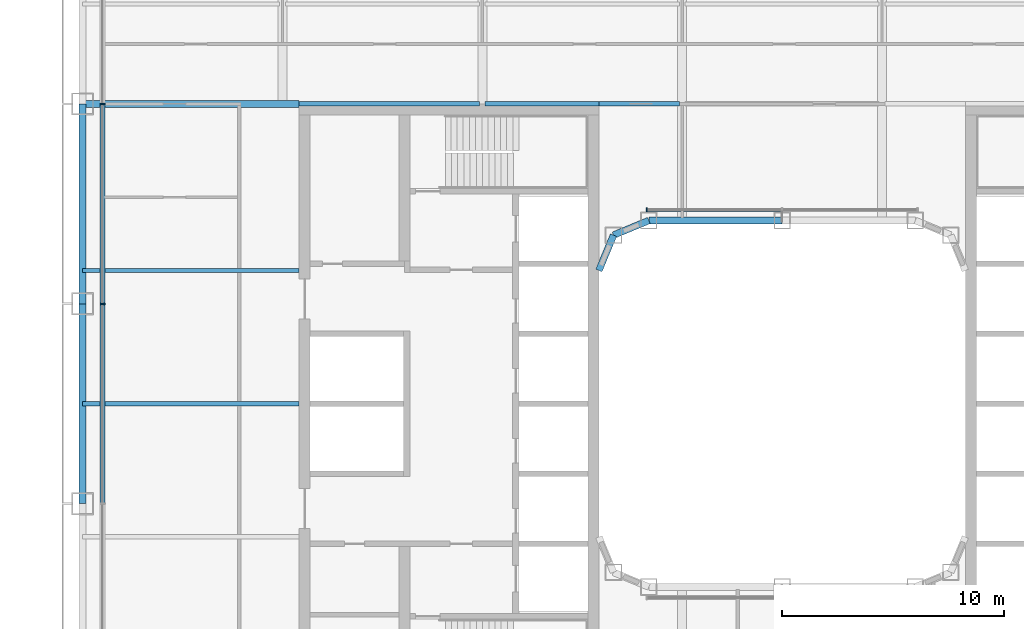
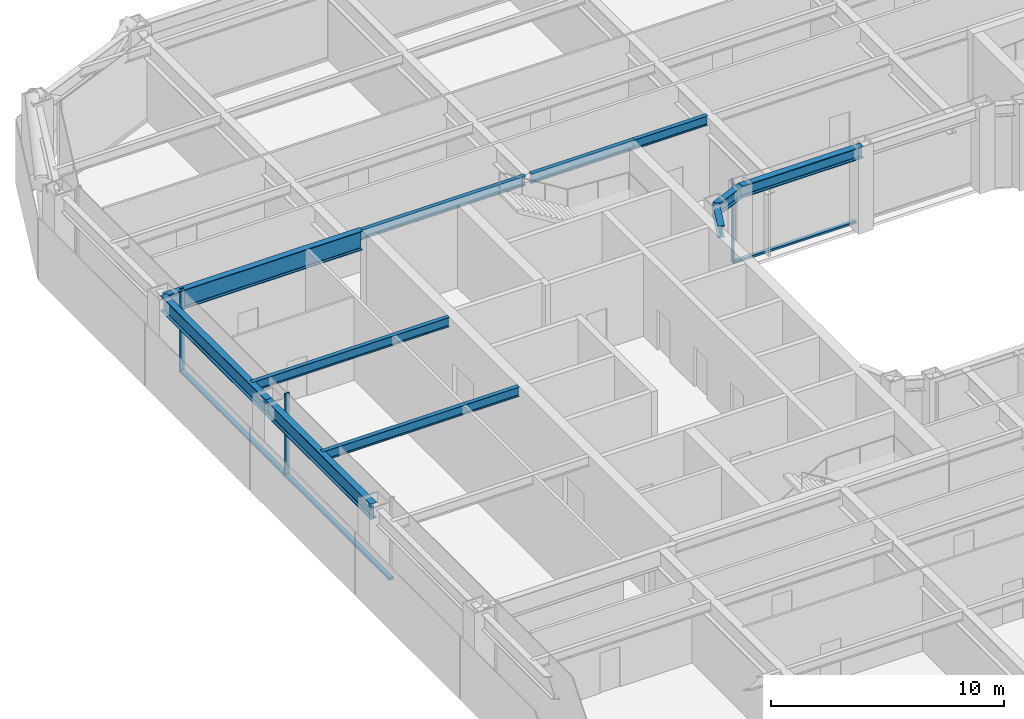
# One storey, part 6 of 27: 11 beams, 6 members, 2 elements without a shape of their own.
"""IFC4 building model written with IfcOpenShell, lengths in metres."""

from ifc_helpers import new_model, si_unit, direction, frame, origin, origin_2d, place, context, subcontext, project, spatial, rectangle, i_section, extrude, material, layer, layer_set, material_profile, profile_set, type_object, element, aggregate, save


model = new_model("IFC4")

# Units and contexts
model_context = context("Model", 3, precision=1e-05, world=origin(), true_north=direction((0.0, 1.0)))
body_context = subcontext(model_context, "Body", "Model", "MODEL_VIEW")
ifc_project = project(units=[si_unit("LENGTHUNIT", "METRE"), si_unit("AREAUNIT", "SQUARE_METRE"), si_unit("VOLUMEUNIT", "CUBIC_METRE"), si_unit("PLANEANGLEUNIT", "RADIAN"), si_unit("MASSUNIT", "GRAM", prefix="KILO")], contexts=[model_context])

# Site, building, storey
site_placement = place(None, origin())
site = spatial("IfcSite", under=ifc_project, at=site_placement, CompositionType="ELEMENT")
building_placement = place(site_placement, origin())
building = spatial("IfcBuilding", under=site, at=building_placement, Name="Siwar Civic Tower", CompositionType="ELEMENT")
storey_placement = place(building_placement, frame((0.0, 0.0, 71.699951171875)))
storey = spatial("IfcBuildingStorey", under=building, at=storey_placement, Name="L15", CompositionType="ELEMENT", Elevation=71.699951171875)

# Curtain wall, members
ifc_material_1 = material(Name="Aluminium and glass", Category="aluminium")
ifc_layer_1 = layer(ifc_material_1, 0.219970703125)
ifc_layer_set_1 = layer_set([ifc_layer_1], Name="Aluminium and glass")
curtain_wall_type_1 = type_object("IfcCurtainWallType", Name="ENV-CW-A", PredefinedType="NOTDEFINED", material=ifc_layer_set_1)
curtain_wall_1_placement = place(storey_placement, origin())
curtain_wall_1 = element("IfcCurtainWall", 1, at=curtain_wall_1_placement, inside=storey, type_object=curtain_wall_type_1, Name="Curtain wall A W", PredefinedType="NOTDEFINED")
ifc_material_2 = material(Name="Aluminium 6063-T6", Category="aluminium")
ifc_material_profile_1 = material_profile(ifc_material_2, rectangle(XDim=0.219970703125, YDim=0.070068359375, at=origin_2d()), Name="AL 220x70")
ifc_profile_set_1 = profile_set([ifc_material_profile_1], Name="Aluminium 6063-T6")
member_type_1 = type_object("IfcMemberType", Name="ENV-MULLION-A", PredefinedType="MULLION", material=ifc_profile_set_1)
member_1_placement = place(storey_placement, frame((-30.60009765625, 13.5, 0.0), z_axis=(0.0, 0.0, 1.0), x_axis=(1.0, 0.0, 0.0)))
member_1 = element("IfcMember", 2, at=member_1_placement, type_object=member_type_1, Name="Mullion A W 2", PredefinedType="MULLION", context=body_context, shape_type="SweptSolid", body=[
    extrude(rectangle(XDim=0.219970703125, YDim=0.070068359375, at=origin_2d()), origin(), (0.0, 0.0, 1.0), 4.35009765625),
])
member_2_placement = place(storey_placement, frame((-30.60009765625, 4.5, 0.0), z_axis=(0.0, 0.0, 1.0), x_axis=(1.0, 0.0, 0.0)))
member_2 = element("IfcMember", 3, at=member_2_placement, type_object=member_type_1, Name="Mullion A W 3", PredefinedType="MULLION", context=body_context, shape_type="SweptSolid", body=[
    extrude(rectangle(XDim=0.219970703125, YDim=0.070068359375, at=origin_2d()), origin(), (0.0, 0.0, 1.0), 4.35009765625),
])

# Curtain wall, member
ifc_material_3 = material(Name="Aluminium and glass", Category="aluminium")
ifc_layer_2 = layer(ifc_material_3, 0.179931640625)
ifc_layer_set_2 = layer_set([ifc_layer_2], Name="Aluminium and glass")
curtain_wall_type_2 = type_object("IfcCurtainWallType", Name="ENV-CW-W", PredefinedType="NOTDEFINED", material=ifc_layer_set_2)
curtain_wall_2_placement = place(storey_placement, origin())
curtain_wall_2 = element("IfcCurtainWall", 4, at=curtain_wall_2_placement, inside=storey, type_object=curtain_wall_type_2, Name="Curtain wall W WN", PredefinedType="NOTDEFINED")
ifc_material_4 = material(Name="Aluminium 6063-T6", Category="aluminium")
ifc_material_profile_2 = material_profile(ifc_material_4, rectangle(XDim=0.179931640625, YDim=0.06005859375, at=origin_2d()), Name="AL 180x60")
ifc_profile_set_2 = profile_set([ifc_material_profile_2], Name="Aluminium 6063-T6")
member_type_2 = type_object("IfcMemberType", Name="ENV-MULLION-W", PredefinedType="MULLION", material=ifc_profile_set_2)
member_3_placement = place(storey_placement, frame((-6.096435546875, 8.735107421875, 0.0), z_axis=(0.0, 0.0, 1.0), x_axis=(0.0, -1.0, 0.0)))
member_3 = element("IfcMember", 5, at=member_3_placement, type_object=member_type_2, Name="Mullion W WN 3", PredefinedType="MULLION", context=body_context, shape_type="SweptSolid", body=[
    extrude(rectangle(XDim=0.179931640625, YDim=0.06005859375, at=origin_2d()), origin(), (0.0, 0.0, 1.0), 4.35009765625),
])

# Member
ifc_material_5 = material(Name="Aluminium 6063-T6", Category="aluminium")
ifc_material_profile_3 = material_profile(ifc_material_5, rectangle(XDim=0.219970703125, YDim=0.1201171875, at=origin_2d()), Name="AL 220x120")
ifc_profile_set_3 = profile_set([ifc_material_profile_3], Name="Aluminium 6063-T6")
member_type_3 = type_object("IfcMemberType", Name="ENV-TRANSOM-A", PredefinedType="USERDEFINED", material=ifc_profile_set_3)
member_4_placement = place(storey_placement, frame((-30.60009765625, 13.465087890625, 0.06005859375), z_axis=(0.0, -1.0, 0.0), x_axis=(1.0, 0.0, 0.0)))
member_4 = element("IfcMember", 6, at=member_4_placement, type_object=member_type_3, Name="Transom A W 2", ObjectType="TRANSOM", PredefinedType="USERDEFINED", context=body_context, shape_type="SweptSolid", body=[
    extrude(rectangle(XDim=0.219970703125, YDim=0.1201171875, at=origin_2d()), origin(), (0.0, 0.0, 1.0), 8.93017578125),
])

member_5_placement = place(storey_placement, frame((-30.60009765625, 4.465087890625, 0.06005859375), z_axis=(0.0, -1.0, 0.0), x_axis=(1.0, 0.0, 0.0)))
member_5 = element("IfcMember", 7, at=member_5_placement, type_object=member_type_3, Name="Transom A W 3", ObjectType="TRANSOM", PredefinedType="USERDEFINED", context=body_context, shape_type="SweptSolid", body=[
    extrude(rectangle(XDim=0.219970703125, YDim=0.1201171875, at=origin_2d()), origin(), (0.0, 0.0, 1.0), 8.93017578125),
])

aggregate(curtain_wall_1, [member_1, member_2, member_4, member_5])

ifc_material_6 = material(Name="Aluminium 6063-T6", Category="aluminium")
ifc_material_profile_4 = material_profile(ifc_material_6, rectangle(XDim=0.179931640625, YDim=0.10009765625, at=origin_2d()), Name="AL 180x100")
ifc_profile_set_4 = profile_set([ifc_material_profile_4], Name="Aluminium 6063-T6")
member_type_4 = type_object("IfcMemberType", Name="ENV-TRANSOM-W", PredefinedType="USERDEFINED", material=ifc_profile_set_4)
member_6_placement = place(storey_placement, frame((-0.030029296875, 8.735107421875, 0.050048828125), z_axis=(-1.0, 0.0, 0.0), x_axis=(0.0, -1.0, 0.0)))
member_6 = element("IfcMember", 8, at=member_6_placement, type_object=member_type_4, Name="Transom W WN 2", ObjectType="TRANSOM", PredefinedType="USERDEFINED", context=body_context, shape_type="SweptSolid", body=[
    extrude(rectangle(XDim=0.179931640625, YDim=0.10009765625, at=origin_2d()), origin(), (0.0, 0.0, 1.0), 6.036376953125),
])

aggregate(curtain_wall_2, [member_3, member_6])

# Beams
ifc_material_7 = material(Name="Steel S355", Category="steel")
ifc_material_profile_5 = material_profile(ifc_material_7, i_section(OverallWidth=0.199951171875, OverallDepth=0.5, WebThickness=0.01025390625, FlangeThickness=0.01611328125, FilletRadius=0.02099609375, at=origin_2d()), Name="IPE500")
ifc_profile_set_5 = profile_set([ifc_material_profile_5], Name="Steel S355")
beam_type_1 = type_object("IfcBeamType", Name="STR-FB-IPE500", PredefinedType="JOIST", material=ifc_profile_set_5)
for number, where, z_axis, x_axis, name in (
    (9, (-31.5, 0.0, 4.10009765625), (1.0, 0.0, 0.0), (0.0, 1.0, 0.0), "L15/bm/F033"),
    (10, (-31.5, 6.0, 4.10009765625), (1.0, 0.0, 0.0), (0.0, 1.0, 0.0), "L15/bm/F035"),
):
    element("IfcBeam", number, at=place(storey_placement, frame(where, z_axis=z_axis, x_axis=x_axis)), inside=storey, type_object=beam_type_1, Name=name, PredefinedType="JOIST", context=body_context, shape_type="SweptSolid", body=[
        extrude(i_section(OverallWidth=0.199951171875, OverallDepth=0.5, WebThickness=0.01025390625, FlangeThickness=0.01611328125, FilletRadius=0.02099609375, at=origin_2d()), origin(), (0.0, 0.0, 1.0), 9.75),
    ])
beam_1_placement = place(storey_placement, frame((-21.75, 13.5, 4.10009765625), z_axis=(1.0, 0.0, 0.0), x_axis=(0.0, 1.0, 0.0)))
element("IfcBeam", 11, at=beam_1_placement, inside=storey, type_object=beam_type_1, Name="L15/bm/F038", PredefinedType="JOIST", context=body_context, shape_type="SweptSolid", body=[
    extrude(i_section(OverallWidth=0.199951171875, OverallDepth=0.5, WebThickness=0.01025390625, FlangeThickness=0.01611328125, FilletRadius=0.02099609375, at=origin_2d()), origin(), (0.0, 0.0, 1.0), 8.1201171875),
])
beam_2_placement = place(storey_placement, frame((-13.3701171875, 13.5, 4.10009765625), z_axis=(1.0, 0.0, 0.0), x_axis=(0.0, 1.0, 0.0)))
element("IfcBeam", 12, at=beam_2_placement, inside=storey, type_object=beam_type_1, Name="L15/bm/F039", PredefinedType="JOIST", context=body_context, shape_type="SweptSolid", body=[
    extrude(i_section(OverallWidth=0.199951171875, OverallDepth=0.5, WebThickness=0.01025390625, FlangeThickness=0.01611328125, FilletRadius=0.02099609375, at=origin_2d()), origin(), (0.0, 0.0, 1.0), 5.1201171875),
])
beam_3_placement = place(storey_placement, frame((-8.25, 13.5, 4.10009765625), z_axis=(1.0, 0.0, 0.0), x_axis=(0.0, 1.0, 0.0)))
element("IfcBeam", 13, at=beam_3_placement, inside=storey, type_object=beam_type_1, Name="L15/bm/F040", PredefinedType="JOIST", context=body_context, shape_type="SweptSolid", body=[
    extrude(i_section(OverallWidth=0.199951171875, OverallDepth=0.5, WebThickness=0.01025390625, FlangeThickness=0.01611328125, FilletRadius=0.02099609375, at=origin_2d()), origin(), (0.0, 0.0, 1.0), 3.6201171875),
])
ifc_material_8 = material(Name="Steel S355", Category="steel")
ifc_material_profile_6 = material_profile(ifc_material_8, i_section(OverallWidth=0.300048828125, OverallDepth=1.0, WebThickness=0.01904296875, FlangeThickness=0.035888671875, FilletRadius=0.030029296875, at=origin_2d()), Name="HEB1000")
ifc_profile_set_6 = profile_set([ifc_material_profile_6], Name="Steel S355")
beam_type_2 = type_object("IfcBeamType", Name="STR-PG-HEB1000", PredefinedType="BEAM", material=ifc_profile_set_6)
beam_4_placement = place(storey_placement, frame((-31.5, 13.5, 3.85009765625), z_axis=(1.0, 0.0, 0.0), x_axis=(0.0, 1.0, 0.0)))
element("IfcBeam", 14, at=beam_4_placement, inside=storey, type_object=beam_type_2, Name="L15/bm/F037", PredefinedType="BEAM", context=body_context, shape_type="SweptSolid", body=[
    extrude(i_section(OverallWidth=0.300048828125, OverallDepth=1.0, WebThickness=0.01904296875, FlangeThickness=0.035888671875, FilletRadius=0.030029296875, at=origin_2d()), origin(), (0.0, 0.0, 1.0), 9.75),
])
ifc_material_9 = material(Name="Steel S355", Category="steel")
ifc_material_profile_7 = material_profile(ifc_material_9, i_section(OverallWidth=0.304931640625, OverallDepth=0.6201171875, WebThickness=0.02099609375, FlangeThickness=0.0400390625, FilletRadius=0.027099609375, at=origin_2d()), Name="HEM600")
ifc_profile_set_7 = profile_set([ifc_material_profile_7], Name="Steel S355")
beam_type_3 = type_object("IfcBeamType", Name="STR-RB-HEM600", PredefinedType="BEAM", material=ifc_profile_set_7)
beam_5_placement = place(storey_placement, frame((-7.591064453125, 7.591064453125, 4.0400390625), z_axis=(0.923901072997, 0.382631424892, 0.0), x_axis=(-0.382631424892, 0.923901072997, 0.0)))
element("IfcBeam", 15, at=beam_5_placement, inside=storey, type_object=beam_type_3, Name="L15/bm/RN0", PredefinedType="BEAM", context=body_context, shape_type="SweptSolid", body=[
    extrude(i_section(OverallWidth=0.304931640625, OverallDepth=0.6201171875, WebThickness=0.02099609375, FlangeThickness=0.0400390625, FilletRadius=0.027099609375, at=origin_2d()), origin(), (0.0, 0.0, 1.0), 1.72216796875),
])
beam_6_placement = place(storey_placement, frame((-6.0, 8.25, 4.0400390625), z_axis=(1.0, 0.0, 0.0), x_axis=(0.0, 1.0, 0.0)))
element("IfcBeam", 16, at=beam_6_placement, inside=storey, type_object=beam_type_3, Name="L15/bm/RN1", PredefinedType="BEAM", context=body_context, shape_type="SweptSolid", body=[
    extrude(i_section(OverallWidth=0.304931640625, OverallDepth=0.6201171875, WebThickness=0.02099609375, FlangeThickness=0.0400390625, FilletRadius=0.027099609375, at=origin_2d()), origin(), (0.0, 0.0, 1.0), 6.0),
])
beam_7_placement = place(storey_placement, frame((-7.591064453125, 7.591064453125, 4.0400390625), z_axis=(-0.382631424892, -0.923901072997, 0.0), x_axis=(0.923901072997, -0.382631424892, 0.0)))
element("IfcBeam", 17, at=beam_7_placement, inside=storey, type_object=beam_type_3, Name="L15/bm/RNEW", PredefinedType="BEAM", context=body_context, shape_type="SweptSolid", body=[
    extrude(i_section(OverallWidth=0.304931640625, OverallDepth=0.6201171875, WebThickness=0.02099609375, FlangeThickness=0.0400390625, FilletRadius=0.027099609375, at=origin_2d()), origin(), (0.0, 0.0, 1.0), 1.72216796875),
])
ifc_material_10 = material(Name="Steel S355", Category="steel")
ifc_material_profile_8 = material_profile(ifc_material_10, i_section(OverallWidth=0.302978515625, OverallDepth=0.81396484375, WebThickness=0.02099609375, FlangeThickness=0.0400390625, FilletRadius=0.030029296875, at=origin_2d()), Name="HEM800")
ifc_profile_set_8 = profile_set([ifc_material_profile_8], Name="Steel S355")
beam_type_4 = type_object("IfcBeamType", Name="STR-SB-HEM800", PredefinedType="BEAM", material=ifc_profile_set_8)
for number, where, z_axis, x_axis, name in (
    (18, (-31.5, 13.5, 3.943115234375), (0.0, -1.0, 0.0), (1.0, 0.0, 0.0), "L15/bm/SW-1"),
    (19, (-31.5, 4.5, 3.943115234375), (0.0, -1.0, 0.0), (1.0, 0.0, 0.0), "L15/bm/SW-2"),
):
    element("IfcBeam", number, at=place(storey_placement, frame(where, z_axis=z_axis, x_axis=x_axis)), inside=storey, type_object=beam_type_4, Name=name, PredefinedType="BEAM", context=body_context, shape_type="SweptSolid", body=[
        extrude(i_section(OverallWidth=0.302978515625, OverallDepth=0.81396484375, WebThickness=0.02099609375, FlangeThickness=0.0400390625, FilletRadius=0.030029296875, at=origin_2d()), origin(), (0.0, 0.0, 1.0), 9.0),
    ])

save(model, "model.ifc")
